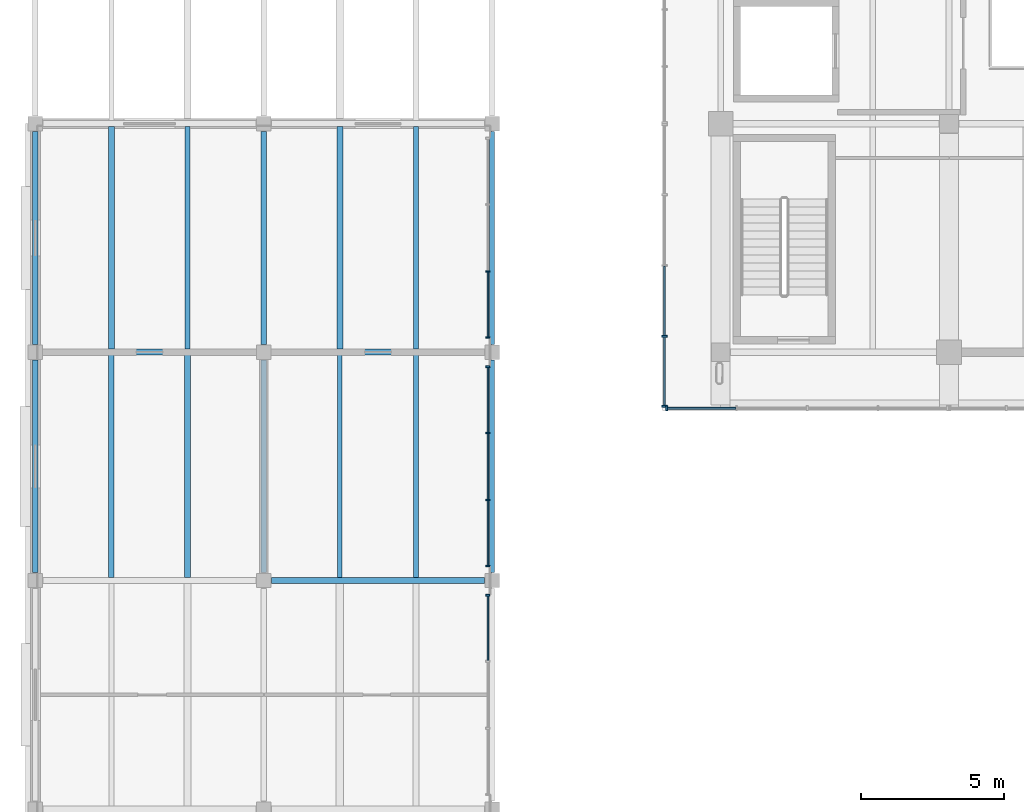
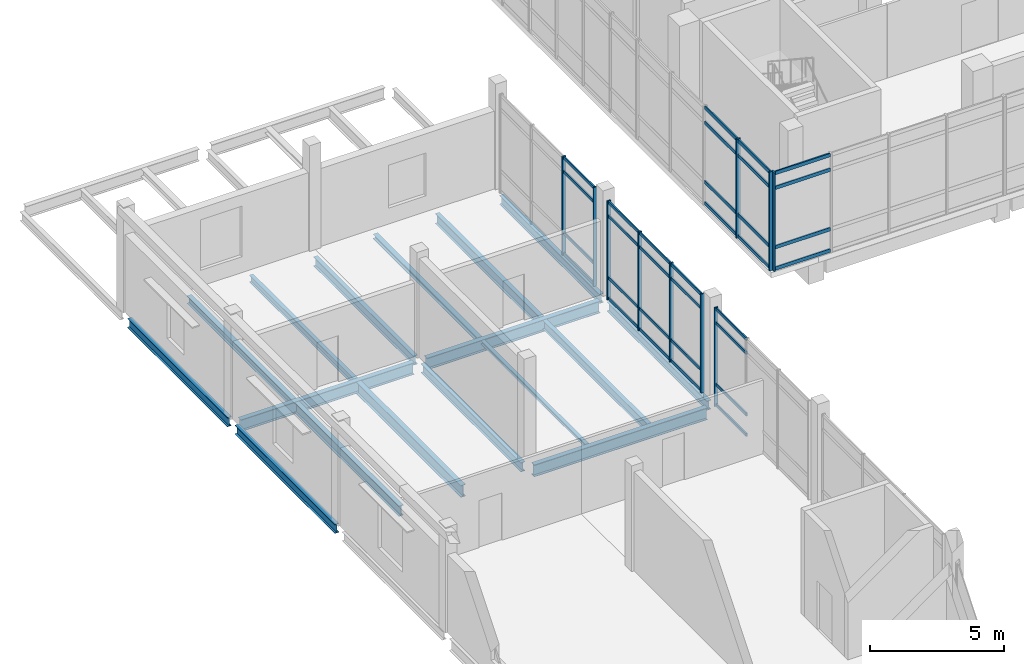
# One storey, part 3 of 28: 42 members, 17 beams, 5 elements without a shape of their own.
"""IFC4 building model written with IfcOpenShell, lengths in metres."""

from ifc_helpers import new_model, si_unit, direction, frame, origin, origin_2d, place, context, subcontext, project, spatial, rectangle, i_section, extrude, material, material_profile, profile_set, type_object, element, aggregate, save


model = new_model("IFC4")

# Units and contexts
model_context = context("Model", 3, precision=1e-05, world=origin(), true_north=direction((0.0, 1.0)))
body_context = subcontext(model_context, "Body", "Model", "MODEL_VIEW")
ifc_project = project(units=[si_unit("LENGTHUNIT", "METRE"), si_unit("AREAUNIT", "SQUARE_METRE"), si_unit("VOLUMEUNIT", "CUBIC_METRE"), si_unit("PLANEANGLEUNIT", "RADIAN"), si_unit("MASSUNIT", "GRAM", prefix="KILO")], contexts=[model_context])

# Site, building, storey
site_placement = place(None, origin())
site = spatial("IfcSite", under=ifc_project, at=site_placement, CompositionType="ELEMENT")
building_placement = place(site_placement, origin())
building = spatial("IfcBuilding", under=site, at=building_placement, Name="Pecanmere Concourse Central Library", CompositionType="ELEMENT")
storey_placement = place(building_placement, frame((0.0, 0.0, 20.10009765625)))
storey = spatial("IfcBuildingStorey", under=building, at=storey_placement, Name="L05", CompositionType="ELEMENT", Elevation=20.10009765625)

# Curtain wall, member
ifc_material_1 = material(Name="Clear anodized aluminium alloy 6063-T6", Category="aluminium")
curtain_wall_type_1 = type_object("IfcCurtainWallType", Name="CW_CLOISTER_GLAZ", PredefinedType="USERDEFINED", material=ifc_material_1)
curtain_wall_1_placement = place(storey_placement, origin())
curtain_wall_1 = element("IfcCurtainWall", 1, at=curtain_wall_1_placement, inside=storey, type_object=curtain_wall_type_1, Name="Unitised Curtain Wall CW-04 L05-158", ObjectType="UNITISED CURTAIN WALL", PredefinedType="USERDEFINED")
ifc_material_2 = material(Name="Clear anodized aluminium alloy 6063-T6", Category="aluminium")
ifc_material_profile_1 = material_profile(ifc_material_2, rectangle(XDim=0.06005859375, YDim=0.14990234375, at=origin_2d()), Name="AL 60x150")
ifc_profile_set_1 = profile_set([ifc_material_profile_1], Name="Clear anodized aluminium alloy 6063-T6")
member_type_1 = type_object("IfcMemberType", Name="CWM_150x60", PredefinedType="MULLION", material=ifc_profile_set_1)
member_1_placement = place(storey_placement, frame((63.85009765625, 81.489990234375, 0.0), z_axis=(0.0, 0.0, 1.0), x_axis=(0.0, 1.0, 0.0)))
member_1 = element("IfcMember", 2, at=member_1_placement, type_object=member_type_1, Name="CW-04 Mullion 4", PredefinedType="MULLION", context=body_context, shape_type="SweptSolid", body=[
    extrude(rectangle(XDim=0.06005859375, YDim=0.14990234375, at=origin_2d()), origin(), (0.0, 0.0, 1.0), 4.5),
])

# Curtain wall, members
curtain_wall_2_placement = place(storey_placement, origin())
curtain_wall_2 = element("IfcCurtainWall", 3, at=curtain_wall_2_placement, inside=storey, type_object=curtain_wall_type_1, Name="Unitised Curtain Wall CW-04 L05-160", ObjectType="UNITISED CURTAIN WALL", PredefinedType="USERDEFINED")
member_2_placement = place(storey_placement, frame((63.85009765625, 82.510009765625, 0.0), z_axis=(0.0, 0.0, 1.0), x_axis=(0.0, 1.0, 0.0)))
member_2 = element("IfcMember", 4, at=member_2_placement, type_object=member_type_1, Name="CW-04 Mullion 1", PredefinedType="MULLION", context=body_context, shape_type="SweptSolid", body=[
    extrude(rectangle(XDim=0.06005859375, YDim=0.14990234375, at=origin_2d()), origin(), (0.0, 0.0, 1.0), 4.5),
])
member_3_placement = place(storey_placement, frame((63.85009765625, 84.82666015625, 0.0), z_axis=(0.0, 0.0, 1.0), x_axis=(0.0, 1.0, 0.0)))
member_3 = element("IfcMember", 5, at=member_3_placement, type_object=member_type_1, Name="CW-04 Mullion 2", PredefinedType="MULLION", context=body_context, shape_type="SweptSolid", body=[
    extrude(rectangle(XDim=0.06005859375, YDim=0.14990234375, at=origin_2d()), origin(), (0.0, 0.0, 1.0), 4.5),
])
member_4_placement = place(storey_placement, frame((63.85009765625, 87.17333984375, 0.0), z_axis=(0.0, 0.0, 1.0), x_axis=(0.0, 1.0, 0.0)))
member_4 = element("IfcMember", 6, at=member_4_placement, type_object=member_type_1, Name="CW-04 Mullion 3", PredefinedType="MULLION", context=body_context, shape_type="SweptSolid", body=[
    extrude(rectangle(XDim=0.06005859375, YDim=0.14990234375, at=origin_2d()), origin(), (0.0, 0.0, 1.0), 4.5),
])
member_5_placement = place(storey_placement, frame((63.85009765625, 89.489990234375, 0.0), z_axis=(0.0, 0.0, 1.0), x_axis=(0.0, 1.0, 0.0)))
member_5 = element("IfcMember", 7, at=member_5_placement, type_object=member_type_1, Name="CW-04 Mullion 4", PredefinedType="MULLION", context=body_context, shape_type="SweptSolid", body=[
    extrude(rectangle(XDim=0.06005859375, YDim=0.14990234375, at=origin_2d()), origin(), (0.0, 0.0, 1.0), 4.5),
])

curtain_wall_3_placement = place(storey_placement, origin())
curtain_wall_3 = element("IfcCurtainWall", 8, at=curtain_wall_3_placement, inside=storey, type_object=curtain_wall_type_1, Name="Unitised Curtain Wall CW-04 L05-162", ObjectType="UNITISED CURTAIN WALL", PredefinedType="USERDEFINED")
member_6_placement = place(storey_placement, frame((63.85009765625, 90.510009765625, 0.0), z_axis=(0.0, 0.0, 1.0), x_axis=(0.0, 1.0, 0.0)))
member_6 = element("IfcMember", 9, at=member_6_placement, type_object=member_type_1, Name="CW-04 Mullion 1", PredefinedType="MULLION", context=body_context, shape_type="SweptSolid", body=[
    extrude(rectangle(XDim=0.06005859375, YDim=0.14990234375, at=origin_2d()), origin(), (0.0, 0.0, 1.0), 4.5),
])
member_7_placement = place(storey_placement, frame((63.85009765625, 92.82666015625, 0.0), z_axis=(0.0, 0.0, 1.0), x_axis=(0.0, 1.0, 0.0)))
member_7 = element("IfcMember", 10, at=member_7_placement, type_object=member_type_1, Name="CW-04 Mullion 2", PredefinedType="MULLION", context=body_context, shape_type="SweptSolid", body=[
    extrude(rectangle(XDim=0.06005859375, YDim=0.14990234375, at=origin_2d()), origin(), (0.0, 0.0, 1.0), 4.5),
])

# Curtain wall, member
ifc_material_3 = material(Name="Anodized bronze aluminium alloy 6063-T6", Category="aluminium")
curtain_wall_type_2 = type_object("IfcCurtainWallType", Name="CW_PLUMB_BANDED", PredefinedType="USERDEFINED", material=ifc_material_3)
curtain_wall_4_placement = place(storey_placement, origin())
curtain_wall_4 = element("IfcCurtainWall", 11, at=curtain_wall_4_placement, inside=storey, type_object=curtain_wall_type_2, Name="Unitised Curtain Wall CW-02 L05-058", ObjectType="UNITISED CURTAIN WALL", PredefinedType="USERDEFINED")
ifc_material_4 = material(Name="Anodized bronze aluminium alloy 6063-T6", Category="aluminium")
ifc_material_profile_2 = material_profile(ifc_material_4, rectangle(XDim=0.06494140625, YDim=0.179931640625, at=origin_2d()), Name="AL 65x180")
ifc_profile_set_2 = profile_set([ifc_material_profile_2], Name="Anodized bronze aluminium alloy 6063-T6")
member_type_2 = type_object("IfcMemberType", Name="CWM_180x65", PredefinedType="MULLION", material=ifc_profile_set_2)
member_8_placement = place(storey_placement, frame((70.111083984375, 88.03857421875, 0.0), z_axis=(0.0, 0.0, 1.0), x_axis=(1.0, 0.0, 0.0)))
member_8 = element("IfcMember", 12, at=member_8_placement, type_object=member_type_2, Name="CW-02 Mullion 1", PredefinedType="MULLION", context=body_context, shape_type="SweptSolid", body=[
    extrude(rectangle(XDim=0.06494140625, YDim=0.179931640625, at=origin_2d()), origin(), (0.0, 0.0, 1.0), 4.5),
])

# Curtain wall, members
curtain_wall_5_placement = place(storey_placement, origin())
curtain_wall_5 = element("IfcCurtainWall", 13, at=curtain_wall_5_placement, inside=storey, type_object=curtain_wall_type_2, Name="Unitised Curtain Wall CW-02 L05-069", ObjectType="UNITISED CURTAIN WALL", PredefinedType="USERDEFINED")
member_9_placement = place(storey_placement, frame((70.03857421875, 90.5576171875, 0.0), z_axis=(0.0, 0.0, 1.0), x_axis=(0.0, -1.0, 0.0)))
member_9 = element("IfcMember", 14, at=member_9_placement, type_object=member_type_2, Name="CW-02 Mullion 4", PredefinedType="MULLION", context=body_context, shape_type="SweptSolid", body=[
    extrude(rectangle(XDim=0.06494140625, YDim=0.179931640625, at=origin_2d()), origin(), (0.0, 0.0, 1.0), 4.5),
])
member_10_placement = place(storey_placement, frame((70.03857421875, 88.111083984375, 0.0), z_axis=(0.0, 0.0, 1.0), x_axis=(0.0, -1.0, 0.0)))
member_10 = element("IfcMember", 15, at=member_10_placement, type_object=member_type_2, Name="CW-02 Mullion 5", PredefinedType="MULLION", context=body_context, shape_type="SweptSolid", body=[
    extrude(rectangle(XDim=0.06494140625, YDim=0.179931640625, at=origin_2d()), origin(), (0.0, 0.0, 1.0), 4.5),
])

# Member
ifc_material_5 = material(Name="Clear anodized aluminium alloy 6063-T6", Category="aluminium")
ifc_material_profile_3 = material_profile(ifc_material_5, rectangle(XDim=0.054931640625, YDim=0.139892578125, at=origin_2d()), Name="AL 55x140")
ifc_profile_set_3 = profile_set([ifc_material_profile_3], Name="Clear anodized aluminium alloy 6063-T6")
member_type_3 = type_object("IfcMemberType", Name="CWT_140x55", PredefinedType="USERDEFINED", material=ifc_profile_set_3)
member_11_placement = place(storey_placement, frame((63.85009765625, 79.203369140625, 0.06982421875), z_axis=(0.0, 1.0, 0.0), x_axis=(-1.0, 0.0, 0.0)))
member_11 = element("IfcMember", 16, at=member_11_placement, type_object=member_type_3, Name="CW-04 Transom 3.1", ObjectType="TRANSOM", PredefinedType="USERDEFINED", context=body_context, shape_type="SweptSolid", body=[
    extrude(rectangle(XDim=0.054931640625, YDim=0.139892578125, at=origin_2d()), origin(), (0.0, 0.0, 1.0), 2.256591796875),
])

member_12_placement = place(storey_placement, frame((63.85009765625, 79.203369140625, 1.0), z_axis=(0.0, 1.0, 0.0), x_axis=(-1.0, 0.0, 0.0)))
member_12 = element("IfcMember", 17, at=member_12_placement, type_object=member_type_3, Name="CW-04 Transom 3.2", ObjectType="TRANSOM", PredefinedType="USERDEFINED", context=body_context, shape_type="SweptSolid", body=[
    extrude(rectangle(XDim=0.054931640625, YDim=0.139892578125, at=origin_2d()), origin(), (0.0, 0.0, 1.0), 2.256591796875),
])

member_13_placement = place(storey_placement, frame((63.85009765625, 79.203369140625, 3.7998046875), z_axis=(0.0, 1.0, 0.0), x_axis=(-1.0, 0.0, 0.0)))
member_13 = element("IfcMember", 18, at=member_13_placement, type_object=member_type_3, Name="CW-04 Transom 3.3", ObjectType="TRANSOM", PredefinedType="USERDEFINED", context=body_context, shape_type="SweptSolid", body=[
    extrude(rectangle(XDim=0.054931640625, YDim=0.139892578125, at=origin_2d()), origin(), (0.0, 0.0, 1.0), 2.256591796875),
])

member_14_placement = place(storey_placement, frame((63.85009765625, 79.203369140625, 4.429931640625), z_axis=(0.0, 1.0, 0.0), x_axis=(-1.0, 0.0, 0.0)))
member_14 = element("IfcMember", 19, at=member_14_placement, type_object=member_type_3, Name="CW-04 Transom 3.4", ObjectType="TRANSOM", PredefinedType="USERDEFINED", context=body_context, shape_type="SweptSolid", body=[
    extrude(rectangle(XDim=0.054931640625, YDim=0.139892578125, at=origin_2d()), origin(), (0.0, 0.0, 1.0), 2.256591796875),
])

aggregate(curtain_wall_1, [member_1, member_11, member_12, member_13, member_14])

member_15_placement = place(storey_placement, frame((63.85009765625, 82.5400390625, 0.06982421875), z_axis=(0.0, 1.0, 0.0), x_axis=(-1.0, 0.0, 0.0)))
member_15 = element("IfcMember", 20, at=member_15_placement, type_object=member_type_3, Name="CW-04 Transom 1.1", ObjectType="TRANSOM", PredefinedType="USERDEFINED", context=body_context, shape_type="SweptSolid", body=[
    extrude(rectangle(XDim=0.054931640625, YDim=0.139892578125, at=origin_2d()), origin(), (0.0, 0.0, 1.0), 2.256591796875),
])

member_16_placement = place(storey_placement, frame((63.85009765625, 82.5400390625, 1.0), z_axis=(0.0, 1.0, 0.0), x_axis=(-1.0, 0.0, 0.0)))
member_16 = element("IfcMember", 21, at=member_16_placement, type_object=member_type_3, Name="CW-04 Transom 1.2", ObjectType="TRANSOM", PredefinedType="USERDEFINED", context=body_context, shape_type="SweptSolid", body=[
    extrude(rectangle(XDim=0.054931640625, YDim=0.139892578125, at=origin_2d()), origin(), (0.0, 0.0, 1.0), 2.256591796875),
])

member_17_placement = place(storey_placement, frame((63.85009765625, 82.5400390625, 3.7998046875), z_axis=(0.0, 1.0, 0.0), x_axis=(-1.0, 0.0, 0.0)))
member_17 = element("IfcMember", 22, at=member_17_placement, type_object=member_type_3, Name="CW-04 Transom 1.3", ObjectType="TRANSOM", PredefinedType="USERDEFINED", context=body_context, shape_type="SweptSolid", body=[
    extrude(rectangle(XDim=0.054931640625, YDim=0.139892578125, at=origin_2d()), origin(), (0.0, 0.0, 1.0), 2.256591796875),
])

member_18_placement = place(storey_placement, frame((63.85009765625, 82.5400390625, 4.429931640625), z_axis=(0.0, 1.0, 0.0), x_axis=(-1.0, 0.0, 0.0)))
member_18 = element("IfcMember", 23, at=member_18_placement, type_object=member_type_3, Name="CW-04 Transom 1.4", ObjectType="TRANSOM", PredefinedType="USERDEFINED", context=body_context, shape_type="SweptSolid", body=[
    extrude(rectangle(XDim=0.054931640625, YDim=0.139892578125, at=origin_2d()), origin(), (0.0, 0.0, 1.0), 2.256591796875),
])

member_19_placement = place(storey_placement, frame((63.85009765625, 84.856689453125, 0.06982421875), z_axis=(0.0, 1.0, 0.0), x_axis=(-1.0, 0.0, 0.0)))
member_19 = element("IfcMember", 24, at=member_19_placement, type_object=member_type_3, Name="CW-04 Transom 2.1", ObjectType="TRANSOM", PredefinedType="USERDEFINED", context=body_context, shape_type="SweptSolid", body=[
    extrude(rectangle(XDim=0.054931640625, YDim=0.139892578125, at=origin_2d()), origin(), (0.0, 0.0, 1.0), 2.28662109375),
])

member_20_placement = place(storey_placement, frame((63.85009765625, 84.856689453125, 1.0), z_axis=(0.0, 1.0, 0.0), x_axis=(-1.0, 0.0, 0.0)))
member_20 = element("IfcMember", 25, at=member_20_placement, type_object=member_type_3, Name="CW-04 Transom 2.2", ObjectType="TRANSOM", PredefinedType="USERDEFINED", context=body_context, shape_type="SweptSolid", body=[
    extrude(rectangle(XDim=0.054931640625, YDim=0.139892578125, at=origin_2d()), origin(), (0.0, 0.0, 1.0), 2.28662109375),
])

member_21_placement = place(storey_placement, frame((63.85009765625, 84.856689453125, 3.7998046875), z_axis=(0.0, 1.0, 0.0), x_axis=(-1.0, 0.0, 0.0)))
member_21 = element("IfcMember", 26, at=member_21_placement, type_object=member_type_3, Name="CW-04 Transom 2.3", ObjectType="TRANSOM", PredefinedType="USERDEFINED", context=body_context, shape_type="SweptSolid", body=[
    extrude(rectangle(XDim=0.054931640625, YDim=0.139892578125, at=origin_2d()), origin(), (0.0, 0.0, 1.0), 2.28662109375),
])

member_22_placement = place(storey_placement, frame((63.85009765625, 84.856689453125, 4.429931640625), z_axis=(0.0, 1.0, 0.0), x_axis=(-1.0, 0.0, 0.0)))
member_22 = element("IfcMember", 27, at=member_22_placement, type_object=member_type_3, Name="CW-04 Transom 2.4", ObjectType="TRANSOM", PredefinedType="USERDEFINED", context=body_context, shape_type="SweptSolid", body=[
    extrude(rectangle(XDim=0.054931640625, YDim=0.139892578125, at=origin_2d()), origin(), (0.0, 0.0, 1.0), 2.28662109375),
])

member_23_placement = place(storey_placement, frame((63.85009765625, 87.203369140625, 0.06982421875), z_axis=(0.0, 1.0, 0.0), x_axis=(-1.0, 0.0, 0.0)))
member_23 = element("IfcMember", 28, at=member_23_placement, type_object=member_type_3, Name="CW-04 Transom 3.1", ObjectType="TRANSOM", PredefinedType="USERDEFINED", context=body_context, shape_type="SweptSolid", body=[
    extrude(rectangle(XDim=0.054931640625, YDim=0.139892578125, at=origin_2d()), origin(), (0.0, 0.0, 1.0), 2.256591796875),
])

member_24_placement = place(storey_placement, frame((63.85009765625, 87.203369140625, 1.0), z_axis=(0.0, 1.0, 0.0), x_axis=(-1.0, 0.0, 0.0)))
member_24 = element("IfcMember", 29, at=member_24_placement, type_object=member_type_3, Name="CW-04 Transom 3.2", ObjectType="TRANSOM", PredefinedType="USERDEFINED", context=body_context, shape_type="SweptSolid", body=[
    extrude(rectangle(XDim=0.054931640625, YDim=0.139892578125, at=origin_2d()), origin(), (0.0, 0.0, 1.0), 2.256591796875),
])

member_25_placement = place(storey_placement, frame((63.85009765625, 87.203369140625, 3.7998046875), z_axis=(0.0, 1.0, 0.0), x_axis=(-1.0, 0.0, 0.0)))
member_25 = element("IfcMember", 30, at=member_25_placement, type_object=member_type_3, Name="CW-04 Transom 3.3", ObjectType="TRANSOM", PredefinedType="USERDEFINED", context=body_context, shape_type="SweptSolid", body=[
    extrude(rectangle(XDim=0.054931640625, YDim=0.139892578125, at=origin_2d()), origin(), (0.0, 0.0, 1.0), 2.256591796875),
])

member_26_placement = place(storey_placement, frame((63.85009765625, 87.203369140625, 4.429931640625), z_axis=(0.0, 1.0, 0.0), x_axis=(-1.0, 0.0, 0.0)))
member_26 = element("IfcMember", 31, at=member_26_placement, type_object=member_type_3, Name="CW-04 Transom 3.4", ObjectType="TRANSOM", PredefinedType="USERDEFINED", context=body_context, shape_type="SweptSolid", body=[
    extrude(rectangle(XDim=0.054931640625, YDim=0.139892578125, at=origin_2d()), origin(), (0.0, 0.0, 1.0), 2.256591796875),
])

aggregate(curtain_wall_2, [member_2, member_3, member_4, member_5, member_15, member_16, member_17, member_18, member_19, member_20, member_21, member_22, member_23, member_24, member_25, member_26])

member_27_placement = place(storey_placement, frame((63.85009765625, 90.5400390625, 0.06982421875), z_axis=(0.0, 1.0, 0.0), x_axis=(-1.0, 0.0, 0.0)))
member_27 = element("IfcMember", 32, at=member_27_placement, type_object=member_type_3, Name="CW-04 Transom 1.1", ObjectType="TRANSOM", PredefinedType="USERDEFINED", context=body_context, shape_type="SweptSolid", body=[
    extrude(rectangle(XDim=0.054931640625, YDim=0.139892578125, at=origin_2d()), origin(), (0.0, 0.0, 1.0), 2.256591796875),
])

member_28_placement = place(storey_placement, frame((63.85009765625, 90.5400390625, 1.0), z_axis=(0.0, 1.0, 0.0), x_axis=(-1.0, 0.0, 0.0)))
member_28 = element("IfcMember", 33, at=member_28_placement, type_object=member_type_3, Name="CW-04 Transom 1.2", ObjectType="TRANSOM", PredefinedType="USERDEFINED", context=body_context, shape_type="SweptSolid", body=[
    extrude(rectangle(XDim=0.054931640625, YDim=0.139892578125, at=origin_2d()), origin(), (0.0, 0.0, 1.0), 2.256591796875),
])

member_29_placement = place(storey_placement, frame((63.85009765625, 90.5400390625, 3.7998046875), z_axis=(0.0, 1.0, 0.0), x_axis=(-1.0, 0.0, 0.0)))
member_29 = element("IfcMember", 34, at=member_29_placement, type_object=member_type_3, Name="CW-04 Transom 1.3", ObjectType="TRANSOM", PredefinedType="USERDEFINED", context=body_context, shape_type="SweptSolid", body=[
    extrude(rectangle(XDim=0.054931640625, YDim=0.139892578125, at=origin_2d()), origin(), (0.0, 0.0, 1.0), 2.256591796875),
])

member_30_placement = place(storey_placement, frame((63.85009765625, 90.5400390625, 4.429931640625), z_axis=(0.0, 1.0, 0.0), x_axis=(-1.0, 0.0, 0.0)))
member_30 = element("IfcMember", 35, at=member_30_placement, type_object=member_type_3, Name="CW-04 Transom 1.4", ObjectType="TRANSOM", PredefinedType="USERDEFINED", context=body_context, shape_type="SweptSolid", body=[
    extrude(rectangle(XDim=0.054931640625, YDim=0.139892578125, at=origin_2d()), origin(), (0.0, 0.0, 1.0), 2.256591796875),
])

aggregate(curtain_wall_3, [member_6, member_7, member_27, member_28, member_29, member_30])

ifc_material_6 = material(Name="Anodized bronze aluminium alloy 6063-T6", Category="aluminium")
ifc_material_profile_4 = material_profile(ifc_material_6, rectangle(XDim=0.06005859375, YDim=0.159912109375, at=origin_2d()), Name="AL 60x160")
ifc_profile_set_4 = profile_set([ifc_material_profile_4], Name="Anodized bronze aluminium alloy 6063-T6")
member_type_4 = type_object("IfcMemberType", Name="CWT_160x60", PredefinedType="USERDEFINED", material=ifc_profile_set_4)
member_31_placement = place(storey_placement, frame((70.1435546875, 88.03857421875, 0.079833984375), z_axis=(1.0, 0.0, 0.0), x_axis=(0.0, 1.0, 0.0)))
member_31 = element("IfcMember", 36, at=member_31_placement, type_object=member_type_4, Name="CW-02 Transom 1.1", ObjectType="TRANSOM", PredefinedType="USERDEFINED", context=body_context, shape_type="SweptSolid", body=[
    extrude(rectangle(XDim=0.06005859375, YDim=0.159912109375, at=origin_2d()), origin(), (0.0, 0.0, 1.0), 2.381591796875),
])

member_32_placement = place(storey_placement, frame((70.1435546875, 88.03857421875, 1.0498046875), z_axis=(1.0, 0.0, 0.0), x_axis=(0.0, 1.0, 0.0)))
member_32 = element("IfcMember", 37, at=member_32_placement, type_object=member_type_4, Name="CW-02 Transom 1.2", ObjectType="TRANSOM", PredefinedType="USERDEFINED", context=body_context, shape_type="SweptSolid", body=[
    extrude(rectangle(XDim=0.06005859375, YDim=0.159912109375, at=origin_2d()), origin(), (0.0, 0.0, 1.0), 2.381591796875),
])

member_33_placement = place(storey_placement, frame((70.1435546875, 88.03857421875, 3.75), z_axis=(1.0, 0.0, 0.0), x_axis=(0.0, 1.0, 0.0)))
member_33 = element("IfcMember", 38, at=member_33_placement, type_object=member_type_4, Name="CW-02 Transom 1.3", ObjectType="TRANSOM", PredefinedType="USERDEFINED", context=body_context, shape_type="SweptSolid", body=[
    extrude(rectangle(XDim=0.06005859375, YDim=0.159912109375, at=origin_2d()), origin(), (0.0, 0.0, 1.0), 2.381591796875),
])

member_34_placement = place(storey_placement, frame((70.1435546875, 88.03857421875, 4.419921875), z_axis=(1.0, 0.0, 0.0), x_axis=(0.0, 1.0, 0.0)))
member_34 = element("IfcMember", 39, at=member_34_placement, type_object=member_type_4, Name="CW-02 Transom 1.4", ObjectType="TRANSOM", PredefinedType="USERDEFINED", context=body_context, shape_type="SweptSolid", body=[
    extrude(rectangle(XDim=0.06005859375, YDim=0.159912109375, at=origin_2d()), origin(), (0.0, 0.0, 1.0), 2.381591796875),
])

aggregate(curtain_wall_4, [member_8, member_31, member_32, member_33, member_34])

member_35_placement = place(storey_placement, frame((70.03857421875, 93.004150390625, 0.079833984375), z_axis=(0.0, -1.0, 0.0), x_axis=(1.0, 0.0, 0.0)))
member_35 = element("IfcMember", 40, at=member_35_placement, type_object=member_type_4, Name="CW-02 Transom 3.1", ObjectType="TRANSOM", PredefinedType="USERDEFINED", context=body_context, shape_type="SweptSolid", body=[
    extrude(rectangle(XDim=0.06005859375, YDim=0.159912109375, at=origin_2d()), origin(), (0.0, 0.0, 1.0), 2.4140625),
])

member_36_placement = place(storey_placement, frame((70.03857421875, 93.004150390625, 1.0498046875), z_axis=(0.0, -1.0, 0.0), x_axis=(1.0, 0.0, 0.0)))
member_36 = element("IfcMember", 41, at=member_36_placement, type_object=member_type_4, Name="CW-02 Transom 3.2", ObjectType="TRANSOM", PredefinedType="USERDEFINED", context=body_context, shape_type="SweptSolid", body=[
    extrude(rectangle(XDim=0.06005859375, YDim=0.159912109375, at=origin_2d()), origin(), (0.0, 0.0, 1.0), 2.4140625),
])

member_37_placement = place(storey_placement, frame((70.03857421875, 93.004150390625, 3.75), z_axis=(0.0, -1.0, 0.0), x_axis=(1.0, 0.0, 0.0)))
member_37 = element("IfcMember", 42, at=member_37_placement, type_object=member_type_4, Name="CW-02 Transom 3.3", ObjectType="TRANSOM", PredefinedType="USERDEFINED", context=body_context, shape_type="SweptSolid", body=[
    extrude(rectangle(XDim=0.06005859375, YDim=0.159912109375, at=origin_2d()), origin(), (0.0, 0.0, 1.0), 2.4140625),
])

member_38_placement = place(storey_placement, frame((70.03857421875, 93.004150390625, 4.419921875), z_axis=(0.0, -1.0, 0.0), x_axis=(1.0, 0.0, 0.0)))
member_38 = element("IfcMember", 43, at=member_38_placement, type_object=member_type_4, Name="CW-02 Transom 3.4", ObjectType="TRANSOM", PredefinedType="USERDEFINED", context=body_context, shape_type="SweptSolid", body=[
    extrude(rectangle(XDim=0.06005859375, YDim=0.159912109375, at=origin_2d()), origin(), (0.0, 0.0, 1.0), 2.4140625),
])

member_39_placement = place(storey_placement, frame((70.03857421875, 90.525146484375, 0.079833984375), z_axis=(0.0, -1.0, 0.0), x_axis=(1.0, 0.0, 0.0)))
member_39 = element("IfcMember", 44, at=member_39_placement, type_object=member_type_4, Name="CW-02 Transom 4.1", ObjectType="TRANSOM", PredefinedType="USERDEFINED", context=body_context, shape_type="SweptSolid", body=[
    extrude(rectangle(XDim=0.06005859375, YDim=0.159912109375, at=origin_2d()), origin(), (0.0, 0.0, 1.0), 2.381591796875),
])

member_40_placement = place(storey_placement, frame((70.03857421875, 90.525146484375, 1.0498046875), z_axis=(0.0, -1.0, 0.0), x_axis=(1.0, 0.0, 0.0)))
member_40 = element("IfcMember", 45, at=member_40_placement, type_object=member_type_4, Name="CW-02 Transom 4.2", ObjectType="TRANSOM", PredefinedType="USERDEFINED", context=body_context, shape_type="SweptSolid", body=[
    extrude(rectangle(XDim=0.06005859375, YDim=0.159912109375, at=origin_2d()), origin(), (0.0, 0.0, 1.0), 2.381591796875),
])

member_41_placement = place(storey_placement, frame((70.03857421875, 90.525146484375, 3.75), z_axis=(0.0, -1.0, 0.0), x_axis=(1.0, 0.0, 0.0)))
member_41 = element("IfcMember", 46, at=member_41_placement, type_object=member_type_4, Name="CW-02 Transom 4.3", ObjectType="TRANSOM", PredefinedType="USERDEFINED", context=body_context, shape_type="SweptSolid", body=[
    extrude(rectangle(XDim=0.06005859375, YDim=0.159912109375, at=origin_2d()), origin(), (0.0, 0.0, 1.0), 2.381591796875),
])

member_42_placement = place(storey_placement, frame((70.03857421875, 90.525146484375, 4.419921875), z_axis=(0.0, -1.0, 0.0), x_axis=(1.0, 0.0, 0.0)))
member_42 = element("IfcMember", 47, at=member_42_placement, type_object=member_type_4, Name="CW-02 Transom 4.4", ObjectType="TRANSOM", PredefinedType="USERDEFINED", context=body_context, shape_type="SweptSolid", body=[
    extrude(rectangle(XDim=0.06005859375, YDim=0.159912109375, at=origin_2d()), origin(), (0.0, 0.0, 1.0), 2.381591796875),
])

aggregate(curtain_wall_5, [member_9, member_10, member_35, member_36, member_37, member_38, member_39, member_40, member_41, member_42])

# Beams
ifc_material_7 = material(Name="Structural steel ASTM A992 Grade 50", Category="steel")
ifc_material_profile_5 = material_profile(ifc_material_7, i_section(OverallWidth=0.152099609375, OverallDepth=0.152099609375, WebThickness=0.005859375, FlangeThickness=0.006591796875, at=origin_2d()), Name="W150x22.5")
ifc_profile_set_5 = profile_set([ifc_material_profile_5], Name="Structural steel ASTM A992 Grade 50")
beam_type_1 = type_object("IfcBeamType", Name="SBM_W150x22", PredefinedType="LINTEL", material=ifc_profile_set_5)
beam_1_placement = place(storey_placement, frame((58.666748046875, 82.10546875, -0.356201171875), z_axis=(0.0, 1.0, 0.0), x_axis=(-1.0, 0.0, 0.0)))
element("IfcBeam", 48, at=beam_1_placement, inside=storey, type_object=beam_type_1, Name="Secondary Floor Joist L05-2574", PredefinedType="LINTEL", context=body_context, shape_type="SweptSolid", body=[
    extrude(i_section(OverallWidth=0.152099609375, OverallDepth=0.152099609375, WebThickness=0.005859375, FlangeThickness=0.006591796875, at=origin_2d()), origin(), (0.0, 0.0, 1.0), 7.7890625),
])
ifc_material_8 = material(Name="Structural steel ASTM A992 Grade 50", Category="steel")
ifc_material_profile_6 = material_profile(ifc_material_8, i_section(OverallWidth=0.2041015625, OverallDepth=0.2060546875, WebThickness=0.0078125, FlangeThickness=0.0126953125, at=origin_2d()), Name="W200x52")
ifc_profile_set_6 = profile_set([ifc_material_profile_6], Name="Structural steel ASTM A992 Grade 50")
beam_type_2 = type_object("IfcBeamType", Name="SBM_W200x52", PredefinedType="JOIST", material=ifc_profile_set_6)
beam_2_placement = place(storey_placement, frame((58.666748046875, 90.10546875, -0.383056640625), z_axis=(0.0, 1.0, 0.0), x_axis=(-1.0, 0.0, 0.0)))
element("IfcBeam", 49, at=beam_2_placement, inside=storey, type_object=beam_type_2, Name="Secondary Floor Joist L05-2576", PredefinedType="JOIST", context=body_context, shape_type="SweptSolid", body=[
    extrude(i_section(OverallWidth=0.2041015625, OverallDepth=0.2060546875, WebThickness=0.0078125, FlangeThickness=0.0126953125, at=origin_2d()), origin(), (0.0, 0.0, 1.0), 7.7890625),
])
ifc_material_9 = material(Name="Structural steel ASTM A992 Grade 50", Category="steel")
ifc_material_profile_7 = material_profile(ifc_material_9, i_section(OverallWidth=0.1669921875, OverallDepth=0.31689453125, WebThickness=0.007568359375, FlangeThickness=0.01318359375, at=origin_2d()), Name="W310x52")
ifc_profile_set_7 = profile_set([ifc_material_profile_7], Name="Structural steel ASTM A992 Grade 50")
beam_type_3 = type_object("IfcBeamType", Name="SBM_W310x52", PredefinedType="JOIST", material=ifc_profile_set_7)
beam_3_placement = place(storey_placement, frame((53.333251953125, 90.10546875, -0.4384765625), z_axis=(0.0, 1.0, 0.0), x_axis=(-1.0, 0.0, 0.0)))
element("IfcBeam", 50, at=beam_3_placement, inside=storey, type_object=beam_type_3, Name="Secondary Floor Joist L05-2565", PredefinedType="JOIST", context=body_context, shape_type="SweptSolid", body=[
    extrude(i_section(OverallWidth=0.1669921875, OverallDepth=0.31689453125, WebThickness=0.007568359375, FlangeThickness=0.01318359375, at=origin_2d()), origin(), (0.0, 0.0, 1.0), 7.7890625),
])
ifc_material_10 = material(Name="Structural steel ASTM A992 Grade 50", Category="steel")
ifc_material_profile_8 = material_profile(ifc_material_10, i_section(OverallWidth=0.202880859375, OverallDepth=0.346923828125, WebThickness=0.0078125, FlangeThickness=0.013427734375, at=origin_2d()), Name="W360x64")
ifc_profile_set_8 = profile_set([ifc_material_profile_8], Name="Structural steel ASTM A992 Grade 50")
beam_type_4 = type_object("IfcBeamType", Name="SBM_W360x64", PredefinedType="JOIST", material=ifc_profile_set_8)
beam_4_placement = place(storey_placement, frame((50.666748046875, 90.10546875, -0.45361328125), z_axis=(0.0, 1.0, 0.0), x_axis=(-1.0, 0.0, 0.0)))
element("IfcBeam", 51, at=beam_4_placement, inside=storey, type_object=beam_type_4, Name="Secondary Floor Joist L05-2564", PredefinedType="JOIST", context=body_context, shape_type="SweptSolid", body=[
    extrude(i_section(OverallWidth=0.202880859375, OverallDepth=0.346923828125, WebThickness=0.0078125, FlangeThickness=0.013427734375, at=origin_2d()), origin(), (0.0, 0.0, 1.0), 7.7890625),
])
ifc_material_11 = material(Name="Structural steel ASTM A992 Grade 50", Category="steel")
ifc_material_profile_9 = material_profile(ifc_material_11, i_section(OverallWidth=0.177978515625, OverallDepth=0.406982421875, WebThickness=0.0078125, FlangeThickness=0.0126953125, at=origin_2d()), Name="W410x60")
ifc_profile_set_9 = profile_set([ifc_material_profile_9], Name="Structural steel ASTM A992 Grade 50")
beam_type_5 = type_object("IfcBeamType", Name="SBM_W410x60", PredefinedType="JOIST", material=ifc_profile_set_9)
beam_5_placement = place(storey_placement, frame((61.333251953125, 82.10546875, -0.483642578125), z_axis=(0.0, 1.0, 0.0), x_axis=(-1.0, 0.0, 0.0)))
element("IfcBeam", 52, at=beam_5_placement, inside=storey, type_object=beam_type_5, Name="Secondary Floor Joist L05-2575", PredefinedType="JOIST", context=body_context, shape_type="SweptSolid", body=[
    extrude(i_section(OverallWidth=0.177978515625, OverallDepth=0.406982421875, WebThickness=0.0078125, FlangeThickness=0.0126953125, at=origin_2d()), origin(), (0.0, 0.0, 1.0), 7.7890625),
])
ifc_material_12 = material(Name="Structural steel ASTM A992 Grade 50", Category="steel")
ifc_material_profile_10 = material_profile(ifc_material_12, i_section(OverallWidth=0.180908203125, OverallDepth=0.4169921875, WebThickness=0.010986328125, FlangeThickness=0.018310546875, at=origin_2d()), Name="W410x85")
ifc_profile_set_10 = profile_set([ifc_material_profile_10], Name="Structural steel ASTM A992 Grade 50")
beam_type_6 = type_object("IfcBeamType", Name="SBM_W410x85", PredefinedType="BEAM", material=ifc_profile_set_10)
for number, where, z_axis, x_axis, name in (
    (53, (48.0, 82.27490234375, -0.488525390625), (0.0, 1.0, 0.0), (-1.0, 0.0, 0.0), "Primary Girder Y L05-2488"),
    (54, (48.0, 90.27490234375, -0.488525390625), (0.0, 1.0, 0.0), (-1.0, 0.0, 0.0), "Primary Girder Y L05-2489"),
    (55, (56.0, 82.27490234375, -0.488525390625), (0.0, 1.0, 0.0), (-1.0, 0.0, 0.0), "Primary Girder Y L05-2495"),
    (56, (56.0, 90.27490234375, -0.488525390625), (0.0, 1.0, 0.0), (-1.0, 0.0, 0.0), "Primary Girder Y L05-2496"),
    (57, (64.0, 82.27490234375, -0.488525390625), (0.0, 1.0, 0.0), (-1.0, 0.0, 0.0), "Primary Girder Y L05-2502"),
    (58, (64.0, 90.27490234375, -0.488525390625), (0.0, 1.0, 0.0), (-1.0, 0.0, 0.0), "Primary Girder Y L05-2503"),
):
    element("IfcBeam", number, at=place(storey_placement, frame(where, z_axis=z_axis, x_axis=x_axis)), inside=storey, type_object=beam_type_6, Name=name, PredefinedType="BEAM", context=body_context, shape_type="SweptSolid", body=[
        extrude(i_section(OverallWidth=0.180908203125, OverallDepth=0.4169921875, WebThickness=0.010986328125, FlangeThickness=0.018310546875, at=origin_2d()), origin(), (0.0, 0.0, 1.0), 7.4501953125),
    ])
ifc_material_13 = material(Name="Structural steel ASTM A992 Grade 50", Category="steel")
ifc_material_profile_11 = material_profile(ifc_material_13, i_section(OverallWidth=0.194091796875, OverallDepth=0.468994140625, WebThickness=0.0126953125, FlangeThickness=0.0205078125, at=origin_2d()), Name="W460x106")
ifc_profile_set_11 = profile_set([ifc_material_profile_11], Name="Structural steel ASTM A992 Grade 50")
beam_type_7 = type_object("IfcBeamType", Name="SBM_W460x106", PredefinedType="USERDEFINED", material=ifc_profile_set_11)
beam_6_placement = place(storey_placement, frame((50.666748046875, 82.10546875, -0.5146484375), z_axis=(0.0, 1.0, 0.0), x_axis=(-1.0, 0.0, 0.0)))
element("IfcBeam", 59, at=beam_6_placement, inside=storey, type_object=beam_type_7, Name="Secondary Floor Joist L05-2562", ObjectType="GIRDER", PredefinedType="USERDEFINED", context=body_context, shape_type="SweptSolid", body=[
    extrude(i_section(OverallWidth=0.194091796875, OverallDepth=0.468994140625, WebThickness=0.0126953125, FlangeThickness=0.0205078125, at=origin_2d()), origin(), (0.0, 0.0, 1.0), 7.7890625),
])
ifc_material_14 = material(Name="Structural steel ASTM A992 Grade 50", Category="steel")
ifc_material_profile_12 = material_profile(ifc_material_14, i_section(OverallWidth=0.18994140625, OverallDepth=0.45703125, WebThickness=0.009033203125, FlangeThickness=0.014404296875, at=origin_2d()), Name="W460x74")
ifc_profile_set_12 = profile_set([ifc_material_profile_12], Name="Structural steel ASTM A992 Grade 50")
beam_type_8 = type_object("IfcBeamType", Name="SBM_W460x74", PredefinedType="BEAM", material=ifc_profile_set_12)
beam_7_placement = place(storey_placement, frame((61.333251953125, 90.10546875, -0.508544921875), z_axis=(0.0, 1.0, 0.0), x_axis=(-1.0, 0.0, 0.0)))
element("IfcBeam", 60, at=beam_7_placement, inside=storey, type_object=beam_type_8, Name="Secondary Floor Joist L05-2577", PredefinedType="BEAM", context=body_context, shape_type="SweptSolid", body=[
    extrude(i_section(OverallWidth=0.18994140625, OverallDepth=0.45703125, WebThickness=0.009033203125, FlangeThickness=0.014404296875, at=origin_2d()), origin(), (0.0, 0.0, 1.0), 7.7890625),
])
ifc_material_15 = material(Name="Structural steel ASTM A992 Grade 50", Category="steel")
ifc_material_profile_13 = material_profile(ifc_material_15, i_section(OverallWidth=0.2109375, OverallDepth=0.5390625, WebThickness=0.01171875, FlangeThickness=0.018798828125, at=origin_2d()), Name="W530x109")
ifc_profile_set_13 = profile_set([ifc_material_profile_13], Name="Structural steel ASTM A992 Grade 50")
beam_type_9 = type_object("IfcBeamType", Name="SBM_W530x109", PredefinedType="USERDEFINED", material=ifc_profile_set_13)
for number, where, z_axis, x_axis, name in (
    (61, (56.27490234375, 82.0, -0.549560546875), (1.0, 0.0, 0.0), (0.0, 1.0, 0.0), "Primary Girder X L05-2451"),
    (62, (48.27490234375, 90.0, -0.549560546875), (1.0, 0.0, 0.0), (0.0, 1.0, 0.0), "Primary Girder X L05-2454"),
    (63, (56.27490234375, 90.0, -0.549560546875), (1.0, 0.0, 0.0), (0.0, 1.0, 0.0), "Primary Girder X L05-2455"),
):
    element("IfcBeam", number, at=place(storey_placement, frame(where, z_axis=z_axis, x_axis=x_axis)), inside=storey, type_object=beam_type_9, Name=name, ObjectType="GIRDER", PredefinedType="USERDEFINED", context=body_context, shape_type="SweptSolid", body=[
        extrude(i_section(OverallWidth=0.2109375, OverallDepth=0.5390625, WebThickness=0.01171875, FlangeThickness=0.018798828125, at=origin_2d()), origin(), (0.0, 0.0, 1.0), 7.4501953125),
    ])
beam_8_placement = place(storey_placement, frame((53.333251953125, 82.10546875, -0.549560546875), z_axis=(0.0, 1.0, 0.0), x_axis=(-1.0, 0.0, 0.0)))
element("IfcBeam", 64, at=beam_8_placement, inside=storey, type_object=beam_type_9, Name="Secondary Floor Joist L05-2563", ObjectType="GIRDER", PredefinedType="USERDEFINED", context=body_context, shape_type="SweptSolid", body=[
    extrude(i_section(OverallWidth=0.2109375, OverallDepth=0.5390625, WebThickness=0.01171875, FlangeThickness=0.018798828125, at=origin_2d()), origin(), (0.0, 0.0, 1.0), 7.7890625),
])

save(model, "model.ifc")
